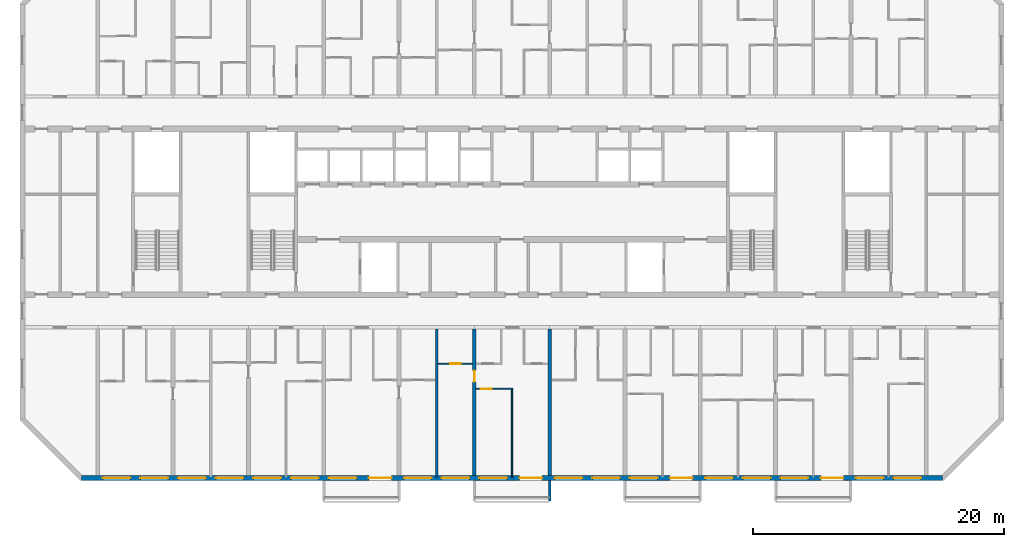
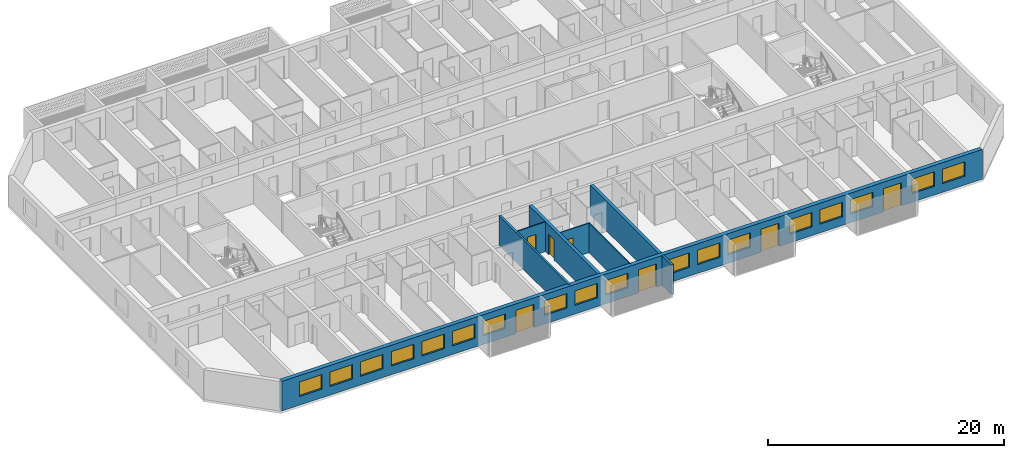
# One storey, part 4 of 32: 18 windows, 8 walls, 7 doors, 25 openings.
"""IFC4 building model written with IfcOpenShell, lengths in metres."""

from ifc_helpers import new_model, si_unit, direction, frame, frame_2d, origin, place, context, subcontext, project, spatial, polyline, rectangle, outline, extrude, source, transform, mapped, material, layer, layer_set, type_object, element, fill, save


model = new_model("IFC4")

# Units and contexts
model_context = context("Model", 3, precision=1e-05, world=origin(), true_north=direction((0.0, 1.0)))
body_context = subcontext(model_context, "Body", "Model", "MODEL_VIEW")
ifc_project = project(units=[si_unit("LENGTHUNIT", "METRE"), si_unit("AREAUNIT", "SQUARE_METRE"), si_unit("VOLUMEUNIT", "CUBIC_METRE"), si_unit("PLANEANGLEUNIT", "RADIAN"), si_unit("MASSUNIT", "GRAM", prefix="KILO")], contexts=[model_context])

# Site, building, storey
site_placement = place(None, origin())
site = spatial("IfcSite", under=ifc_project, at=site_placement, CompositionType="ELEMENT")
building_placement = place(site_placement, origin())
building = spatial("IfcBuilding", under=site, at=building_placement, Name="Poui Terraces", CompositionType="ELEMENT")
storey_placement = place(building_placement, frame((0.0, 0.0, 129.0)))
storey = spatial("IfcBuildingStorey", under=building, at=storey_placement, Name="L35", CompositionType="ELEMENT", Elevation=129.0)

# Wall, opening, door
ifc_material_1 = material(Name="Concrete 65 MPa", Category="concrete")
ifc_layer_1 = layer(ifc_material_1, 0.300048828125)
ifc_layer_set_1 = layer_set([ifc_layer_1], Name="Concrete 65 MPa")
wall_type_1 = type_object("IfcWallType", Name="CROSS WALL 300 65MPa", PredefinedType="SHEAR", material=ifc_layer_set_1)
wall_1_placement = place(storey_placement, frame((48.0, 0.199951171875, 0.0), z_axis=(0.0, 0.0, 1.0), x_axis=(0.0, 1.0, 0.0)))
wall_1 = element("IfcWall", 1, at=wall_1_placement, inside=storey, type_object=wall_type_1, Name="CROSS WALL LINE 9 SOUTH", PredefinedType="SHEAR", context=body_context, shape_type="SweptSolid", body=[
    extrude(rectangle(XDim=11.675048828125, YDim=0.300048828125, at=frame_2d((5.83740234375, 0.0))), origin(), (0.0, 0.0, 1.0), 3.070068359375),
])
opening_1_placement = place(wall_1_placement, frame((7.449951171875, 0.0, 0.0)))
opening_1 = element("IfcOpeningElement", 2, at=opening_1_placement, cuts=wall_1, Name="Opening D90", PredefinedType="OPENING", context=body_context, shape_type="SweptSolid", body=[
    extrude(rectangle(XDim=0.89990234375, YDim=2.10009765625, at=frame_2d((0.449951171875, 1.050048828125))), frame((0.0, 0.16015625, 0.0), z_axis=(0.0, -1.0, 0.0), x_axis=(1.0, 0.0, 0.0)), (0.0, 0.0, 1.0), 0.320068359375),
])
ifc_material_2 = material(Name="Solid core timber door", Category="wood")
door_type_1 = type_object("IfcDoorType", Name="INTERNAL DOOR 900 X 2100", OperationType="NOTDEFINED", PredefinedType="DOOR", material=ifc_material_2)
door_1_placement = place(opening_1_placement, origin())
door_1 = element("IfcDoor", 3, at=door_1_placement, inside=storey, type_object=door_type_1, Name="INTERNAL DOOR 096", OperationType="SINGLE_SWING_RIGHT", OverallHeight=2.10009765625, OverallWidth=0.89990234375, PredefinedType="DOOR", context=body_context, shape_type="SweptSolid", body=[
    extrude(rectangle(XDim=0.89990234375, YDim=2.10009765625, at=frame_2d((0.449951171875, 1.050048828125))), frame((0.0, 0.02490234375, 0.0), z_axis=(0.0, -1.0, 0.0), x_axis=(1.0, 0.0, 0.0)), (0.0, 0.0, 1.0), 0.050048828125),
])
fill(opening_1, door_1)

# Wall
wall_2_placement = place(storey_placement, frame((54.0, 0.199951171875, 0.0), z_axis=(0.0, 0.0, 1.0), x_axis=(0.0, 1.0, 0.0)))
element("IfcWall", 4, at=wall_2_placement, inside=storey, type_object=wall_type_1, Name="CROSS WALL LINE 10 SOUTH", PredefinedType="SHEAR", context=body_context, shape_type="SweptSolid", body=[
    extrude(rectangle(XDim=11.675048828125, YDim=0.300048828125, at=frame_2d((5.83740234375, 0.0))), origin(), (0.0, 0.0, 1.0), 3.070068359375),
])

# Wall, openings, doors, windows
ifc_material_3 = material(Name="Precast concrete 40 MPa", Category="concrete")
ifc_layer_2 = layer(ifc_material_3, 0.39990234375)
ifc_layer_set_2 = layer_set([ifc_layer_2], Name="Precast concrete 40 MPa")
wall_type_2 = type_object("IfcWallType", Name="EXTERNAL WALL 400", PredefinedType="STANDARD", material=ifc_layer_set_2)
wall_3_placement = place(storey_placement, frame((16.682861328125, 0.0, 0.0), z_axis=(0.0, 0.0, 1.0), x_axis=(1.0, 0.0, 0.0)))
wall_3 = element("IfcWall", 5, at=wall_3_placement, inside=storey, type_object=wall_type_2, Name="EXTERNAL WALL S", PredefinedType="STANDARD", context=body_context, shape_type="SweptSolid", body=[
    extrude(rectangle(XDim=68.63427734375, YDim=0.39990234375, at=frame_2d((34.317138671875, 0.0))), origin(), (0.0, 0.0, 1.0), 3.070068359375),
])
opening_2_placement = place(wall_3_placement, frame((1.71728515625, 0.0, 0.89990234375)))
opening_2 = element("IfcOpeningElement", 6, at=opening_2_placement, cuts=wall_3, Name="Opening W1", PredefinedType="OPENING", context=body_context, shape_type="SweptSolid", body=[
    extrude(rectangle(XDim=2.199951171875, YDim=1.5, at=frame_2d((1.10009765625, 0.75))), frame((0.0, 0.2099609375, 0.0), z_axis=(0.0, -1.0, 0.0), x_axis=(1.0, 0.0, 0.0)), (0.0, 0.0, 1.0), 0.419921875),
])
opening_3_placement = place(wall_3_placement, frame((4.71728515625, 0.0, 0.89990234375)))
opening_3 = element("IfcOpeningElement", 7, at=opening_3_placement, cuts=wall_3, Name="Opening W1", PredefinedType="OPENING", context=body_context, shape_type="SweptSolid", body=[
    extrude(rectangle(XDim=2.199951171875, YDim=1.5, at=frame_2d((1.10009765625, 0.75))), frame((0.0, 0.2099609375, 0.0), z_axis=(0.0, -1.0, 0.0), x_axis=(1.0, 0.0, 0.0)), (0.0, 0.0, 1.0), 0.419921875),
])
opening_4_placement = place(wall_3_placement, frame((7.71728515625, 0.0, 0.89990234375)))
opening_4 = element("IfcOpeningElement", 8, at=opening_4_placement, cuts=wall_3, Name="Opening W1", PredefinedType="OPENING", context=body_context, shape_type="SweptSolid", body=[
    extrude(rectangle(XDim=2.199951171875, YDim=1.5, at=frame_2d((1.10009765625, 0.75))), frame((0.0, 0.2099609375, 0.0), z_axis=(0.0, -1.0, 0.0), x_axis=(1.0, 0.0, 0.0)), (0.0, 0.0, 1.0), 0.419921875),
])
opening_5_placement = place(wall_3_placement, frame((10.71728515625, 0.0, 0.89990234375)))
opening_5 = element("IfcOpeningElement", 9, at=opening_5_placement, cuts=wall_3, Name="Opening W1", PredefinedType="OPENING", context=body_context, shape_type="SweptSolid", body=[
    extrude(rectangle(XDim=2.199951171875, YDim=1.5, at=frame_2d((1.10009765625, 0.75))), frame((0.0, 0.2099609375, 0.0), z_axis=(0.0, -1.0, 0.0), x_axis=(1.0, 0.0, 0.0)), (0.0, 0.0, 1.0), 0.419921875),
])
opening_6_placement = place(wall_3_placement, frame((13.71728515625, 0.0, 0.89990234375)))
opening_6 = element("IfcOpeningElement", 10, at=opening_6_placement, cuts=wall_3, Name="Opening W1", PredefinedType="OPENING", context=body_context, shape_type="SweptSolid", body=[
    extrude(rectangle(XDim=2.199951171875, YDim=1.5, at=frame_2d((1.10009765625, 0.75))), frame((0.0, 0.2099609375, 0.0), z_axis=(0.0, -1.0, 0.0), x_axis=(1.0, 0.0, 0.0)), (0.0, 0.0, 1.0), 0.419921875),
])
opening_7_placement = place(wall_3_placement, frame((16.71728515625, 0.0, 0.89990234375)))
opening_7 = element("IfcOpeningElement", 11, at=opening_7_placement, cuts=wall_3, Name="Opening W1", PredefinedType="OPENING", context=body_context, shape_type="SweptSolid", body=[
    extrude(rectangle(XDim=2.199951171875, YDim=1.5, at=frame_2d((1.10009765625, 0.75))), frame((0.0, 0.2099609375, 0.0), z_axis=(0.0, -1.0, 0.0), x_axis=(1.0, 0.0, 0.0)), (0.0, 0.0, 1.0), 0.419921875),
])
opening_8_placement = place(wall_3_placement, frame((19.71728515625, 0.0, 0.89990234375)))
opening_8 = element("IfcOpeningElement", 12, at=opening_8_placement, cuts=wall_3, Name="Opening W1", PredefinedType="OPENING", context=body_context, shape_type="SweptSolid", body=[
    extrude(rectangle(XDim=2.199951171875, YDim=1.5, at=frame_2d((1.10009765625, 0.75))), frame((0.0, 0.2099609375, 0.0), z_axis=(0.0, -1.0, 0.0), x_axis=(1.0, 0.0, 0.0)), (0.0, 0.0, 1.0), 0.419921875),
])
opening_9_placement = place(wall_3_placement, frame((22.917236328125, 0.0, 0.0)))
opening_9 = element("IfcOpeningElement", 13, at=opening_9_placement, cuts=wall_3, Name="Opening BD1", PredefinedType="OPENING", context=body_context, shape_type="SweptSolid", body=[
    extrude(rectangle(XDim=1.800048828125, YDim=2.39990234375, at=frame_2d((0.89990234375, 1.199951171875))), frame((0.0, 0.2099609375, 0.0), z_axis=(0.0, -1.0, 0.0), x_axis=(1.0, 0.0, 0.0)), (0.0, 0.0, 1.0), 0.419921875),
])
opening_10_placement = place(wall_3_placement, frame((25.71728515625, 0.0, 0.89990234375)))
opening_10 = element("IfcOpeningElement", 14, at=opening_10_placement, cuts=wall_3, Name="Opening W1", PredefinedType="OPENING", context=body_context, shape_type="SweptSolid", body=[
    extrude(rectangle(XDim=2.199951171875, YDim=1.5, at=frame_2d((1.10009765625, 0.75))), frame((0.0, 0.2099609375, 0.0), z_axis=(0.0, -1.0, 0.0), x_axis=(1.0, 0.0, 0.0)), (0.0, 0.0, 1.0), 0.419921875),
])
opening_11_placement = place(wall_3_placement, frame((28.71728515625, 0.0, 0.89990234375)))
opening_11 = element("IfcOpeningElement", 15, at=opening_11_placement, cuts=wall_3, Name="Opening W1", PredefinedType="OPENING", context=body_context, shape_type="SweptSolid", body=[
    extrude(rectangle(XDim=2.199951171875, YDim=1.5, at=frame_2d((1.10009765625, 0.75))), frame((0.0, 0.2099609375, 0.0), z_axis=(0.0, -1.0, 0.0), x_axis=(1.0, 0.0, 0.0)), (0.0, 0.0, 1.0), 0.419921875),
])
opening_12_placement = place(wall_3_placement, frame((31.71728515625, 0.0, 0.89990234375)))
opening_12 = element("IfcOpeningElement", 16, at=opening_12_placement, cuts=wall_3, Name="Opening W1", PredefinedType="OPENING", context=body_context, shape_type="SweptSolid", body=[
    extrude(rectangle(XDim=2.199951171875, YDim=1.5, at=frame_2d((1.10009765625, 0.75))), frame((0.0, 0.2099609375, 0.0), z_axis=(0.0, -1.0, 0.0), x_axis=(1.0, 0.0, 0.0)), (0.0, 0.0, 1.0), 0.419921875),
])
opening_13_placement = place(wall_3_placement, frame((34.917236328125, 0.0, 0.0)))
opening_13 = element("IfcOpeningElement", 17, at=opening_13_placement, cuts=wall_3, Name="Opening BD1", PredefinedType="OPENING", context=body_context, shape_type="SweptSolid", body=[
    extrude(rectangle(XDim=1.800048828125, YDim=2.39990234375, at=frame_2d((0.89990234375, 1.199951171875))), frame((0.0, 0.2099609375, 0.0), z_axis=(0.0, -1.0, 0.0), x_axis=(1.0, 0.0, 0.0)), (0.0, 0.0, 1.0), 0.419921875),
])
opening_14_placement = place(wall_3_placement, frame((37.71728515625, 0.0, 0.89990234375)))
opening_14 = element("IfcOpeningElement", 18, at=opening_14_placement, cuts=wall_3, Name="Opening W1", PredefinedType="OPENING", context=body_context, shape_type="SweptSolid", body=[
    extrude(rectangle(XDim=2.199951171875, YDim=1.5, at=frame_2d((1.10009765625, 0.75))), frame((0.0, 0.2099609375, 0.0), z_axis=(0.0, -1.0, 0.0), x_axis=(1.0, 0.0, 0.0)), (0.0, 0.0, 1.0), 0.419921875),
])
opening_15_placement = place(wall_3_placement, frame((40.71728515625, 0.0, 0.89990234375)))
opening_15 = element("IfcOpeningElement", 19, at=opening_15_placement, cuts=wall_3, Name="Opening W1", PredefinedType="OPENING", context=body_context, shape_type="SweptSolid", body=[
    extrude(rectangle(XDim=2.199951171875, YDim=1.5, at=frame_2d((1.10009765625, 0.75))), frame((0.0, 0.2099609375, 0.0), z_axis=(0.0, -1.0, 0.0), x_axis=(1.0, 0.0, 0.0)), (0.0, 0.0, 1.0), 0.419921875),
])
opening_16_placement = place(wall_3_placement, frame((43.71728515625, 0.0, 0.89990234375)))
opening_16 = element("IfcOpeningElement", 20, at=opening_16_placement, cuts=wall_3, Name="Opening W1", PredefinedType="OPENING", context=body_context, shape_type="SweptSolid", body=[
    extrude(rectangle(XDim=2.199951171875, YDim=1.5, at=frame_2d((1.10009765625, 0.75))), frame((0.0, 0.2099609375, 0.0), z_axis=(0.0, -1.0, 0.0), x_axis=(1.0, 0.0, 0.0)), (0.0, 0.0, 1.0), 0.419921875),
])
opening_17_placement = place(wall_3_placement, frame((46.917236328125, 0.0, 0.0)))
opening_17 = element("IfcOpeningElement", 21, at=opening_17_placement, cuts=wall_3, Name="Opening BD1", PredefinedType="OPENING", context=body_context, shape_type="SweptSolid", body=[
    extrude(rectangle(XDim=1.800048828125, YDim=2.39990234375, at=frame_2d((0.89990234375, 1.199951171875))), frame((0.0, 0.2099609375, 0.0), z_axis=(0.0, -1.0, 0.0), x_axis=(1.0, 0.0, 0.0)), (0.0, 0.0, 1.0), 0.419921875),
])
opening_18_placement = place(wall_3_placement, frame((49.71728515625, 0.0, 0.89990234375)))
opening_18 = element("IfcOpeningElement", 22, at=opening_18_placement, cuts=wall_3, Name="Opening W1", PredefinedType="OPENING", context=body_context, shape_type="SweptSolid", body=[
    extrude(rectangle(XDim=2.199951171875, YDim=1.5, at=frame_2d((1.10009765625, 0.75))), frame((0.0, 0.2099609375, 0.0), z_axis=(0.0, -1.0, 0.0), x_axis=(1.0, 0.0, 0.0)), (0.0, 0.0, 1.0), 0.419921875),
])
opening_19_placement = place(wall_3_placement, frame((52.71728515625, 0.0, 0.89990234375)))
opening_19 = element("IfcOpeningElement", 23, at=opening_19_placement, cuts=wall_3, Name="Opening W1", PredefinedType="OPENING", context=body_context, shape_type="SweptSolid", body=[
    extrude(rectangle(XDim=2.199951171875, YDim=1.5, at=frame_2d((1.10009765625, 0.75))), frame((0.0, 0.2099609375, 0.0), z_axis=(0.0, -1.0, 0.0), x_axis=(1.0, 0.0, 0.0)), (0.0, 0.0, 1.0), 0.419921875),
])
opening_20_placement = place(wall_3_placement, frame((55.71728515625, 0.0, 0.89990234375)))
opening_20 = element("IfcOpeningElement", 24, at=opening_20_placement, cuts=wall_3, Name="Opening W1", PredefinedType="OPENING", context=body_context, shape_type="SweptSolid", body=[
    extrude(rectangle(XDim=2.199951171875, YDim=1.5, at=frame_2d((1.10009765625, 0.75))), frame((0.0, 0.2099609375, 0.0), z_axis=(0.0, -1.0, 0.0), x_axis=(1.0, 0.0, 0.0)), (0.0, 0.0, 1.0), 0.419921875),
])
opening_21_placement = place(wall_3_placement, frame((58.917236328125, 0.0, 0.0)))
opening_21 = element("IfcOpeningElement", 25, at=opening_21_placement, cuts=wall_3, Name="Opening BD1", PredefinedType="OPENING", context=body_context, shape_type="SweptSolid", body=[
    extrude(rectangle(XDim=1.800048828125, YDim=2.39990234375, at=frame_2d((0.89990234375, 1.199951171875))), frame((0.0, 0.2099609375, 0.0), z_axis=(0.0, -1.0, 0.0), x_axis=(1.0, 0.0, 0.0)), (0.0, 0.0, 1.0), 0.419921875),
])
opening_22_placement = place(wall_3_placement, frame((61.71728515625, 0.0, 0.89990234375)))
opening_22 = element("IfcOpeningElement", 26, at=opening_22_placement, cuts=wall_3, Name="Opening W1", PredefinedType="OPENING", context=body_context, shape_type="SweptSolid", body=[
    extrude(rectangle(XDim=2.199951171875, YDim=1.5, at=frame_2d((1.10009765625, 0.75))), frame((0.0, 0.2099609375, 0.0), z_axis=(0.0, -1.0, 0.0), x_axis=(1.0, 0.0, 0.0)), (0.0, 0.0, 1.0), 0.419921875),
])
opening_23_placement = place(wall_3_placement, frame((64.71728515625, 0.0, 0.89990234375)))
opening_23 = element("IfcOpeningElement", 27, at=opening_23_placement, cuts=wall_3, Name="Opening W1", PredefinedType="OPENING", context=body_context, shape_type="SweptSolid", body=[
    extrude(rectangle(XDim=2.199951171875, YDim=1.5, at=frame_2d((1.10009765625, 0.75))), frame((0.0, 0.2099609375, 0.0), z_axis=(0.0, -1.0, 0.0), x_axis=(1.0, 0.0, 0.0)), (0.0, 0.0, 1.0), 0.419921875),
])
ifc_material_4 = material(Name="Clear glass in aluminium frame", Category="aluminium")
door_type_2 = type_object("IfcDoorType", Name="BALCONY DOOR 1800X2400", OperationType="DOUBLE_DOOR_SLIDING", PredefinedType="DOOR", material=ifc_material_4)
door_2_placement = place(opening_9_placement, origin())
door_2 = element("IfcDoor", 28, at=door_2_placement, inside=storey, type_object=door_type_2, Name="BD1 BALCONY DOOR", OperationType="DOUBLE_DOOR_SLIDING", OverallHeight=2.39990234375, OverallWidth=1.800048828125, PredefinedType="DOOR", context=body_context, shape_type="SweptSolid", body=[
    extrude(rectangle(XDim=1.800048828125, YDim=2.39990234375, at=frame_2d((0.89990234375, 1.199951171875))), frame((0.0, 0.02490234375, 0.0), z_axis=(0.0, -1.0, 0.0), x_axis=(1.0, 0.0, 0.0)), (0.0, 0.0, 1.0), 0.050048828125),
])
fill(opening_9, door_2)
door_3_placement = place(opening_13_placement, origin())
door_3 = element("IfcDoor", 29, at=door_3_placement, inside=storey, type_object=door_type_2, Name="BD1 BALCONY DOOR", OperationType="DOUBLE_DOOR_SLIDING", OverallHeight=2.39990234375, OverallWidth=1.800048828125, PredefinedType="DOOR", context=body_context, shape_type="SweptSolid", body=[
    extrude(rectangle(XDim=1.800048828125, YDim=2.39990234375, at=frame_2d((0.89990234375, 1.199951171875))), frame((0.0, 0.02490234375, 0.0), z_axis=(0.0, -1.0, 0.0), x_axis=(1.0, 0.0, 0.0)), (0.0, 0.0, 1.0), 0.050048828125),
])
fill(opening_13, door_3)
door_4_placement = place(opening_17_placement, origin())
door_4 = element("IfcDoor", 30, at=door_4_placement, inside=storey, type_object=door_type_2, Name="BD1 BALCONY DOOR", OperationType="DOUBLE_DOOR_SLIDING", OverallHeight=2.39990234375, OverallWidth=1.800048828125, PredefinedType="DOOR", context=body_context, shape_type="SweptSolid", body=[
    extrude(rectangle(XDim=1.800048828125, YDim=2.39990234375, at=frame_2d((0.89990234375, 1.199951171875))), frame((0.0, 0.02490234375, 0.0), z_axis=(0.0, -1.0, 0.0), x_axis=(1.0, 0.0, 0.0)), (0.0, 0.0, 1.0), 0.050048828125),
])
fill(opening_17, door_4)
door_5_placement = place(opening_21_placement, origin())
door_5 = element("IfcDoor", 31, at=door_5_placement, inside=storey, type_object=door_type_2, Name="BD1 BALCONY DOOR", OperationType="DOUBLE_DOOR_SLIDING", OverallHeight=2.39990234375, OverallWidth=1.800048828125, PredefinedType="DOOR", context=body_context, shape_type="SweptSolid", body=[
    extrude(rectangle(XDim=1.800048828125, YDim=2.39990234375, at=frame_2d((0.89990234375, 1.199951171875))), frame((0.0, 0.02490234375, 0.0), z_axis=(0.0, -1.0, 0.0), x_axis=(1.0, 0.0, 0.0)), (0.0, 0.0, 1.0), 0.050048828125),
])
fill(opening_21, door_5)
window_type = type_object("IfcWindowType", Name="WINDOW 2200X1500", PartitioningType="DOUBLE_PANEL_HORIZONTAL", PredefinedType="WINDOW", material=ifc_material_4)
window_1_placement = place(opening_2_placement, origin())
window_1 = element("IfcWindow", 32, at=window_1_placement, inside=storey, type_object=window_type, Name="W1 WINDOW", OverallHeight=1.5, OverallWidth=2.199951171875, PartitioningType="DOUBLE_PANEL_HORIZONTAL", PredefinedType="WINDOW", context=body_context, shape_type="SweptSolid", body=[
    extrude(rectangle(XDim=2.199951171875, YDim=1.5, at=frame_2d((1.10009765625, 0.75))), frame((0.0, 0.030029296875, 0.0), z_axis=(0.0, -1.0, 0.0), x_axis=(1.0, 0.0, 0.0)), (0.0, 0.0, 1.0), 0.06005859375),
])
fill(opening_2, window_1)
window_2_placement = place(opening_3_placement, origin())
window_2 = element("IfcWindow", 33, at=window_2_placement, inside=storey, type_object=window_type, Name="W1 WINDOW", OverallHeight=1.5, OverallWidth=2.199951171875, PartitioningType="DOUBLE_PANEL_HORIZONTAL", PredefinedType="WINDOW", context=body_context, shape_type="SweptSolid", body=[
    extrude(rectangle(XDim=2.199951171875, YDim=1.5, at=frame_2d((1.10009765625, 0.75))), frame((0.0, 0.030029296875, 0.0), z_axis=(0.0, -1.0, 0.0), x_axis=(1.0, 0.0, 0.0)), (0.0, 0.0, 1.0), 0.06005859375),
])
fill(opening_3, window_2)
window_3_placement = place(opening_4_placement, origin())
window_3 = element("IfcWindow", 34, at=window_3_placement, inside=storey, type_object=window_type, Name="W1 WINDOW", OverallHeight=1.5, OverallWidth=2.199951171875, PartitioningType="DOUBLE_PANEL_HORIZONTAL", PredefinedType="WINDOW", context=body_context, shape_type="SweptSolid", body=[
    extrude(rectangle(XDim=2.199951171875, YDim=1.5, at=frame_2d((1.10009765625, 0.75))), frame((0.0, 0.030029296875, 0.0), z_axis=(0.0, -1.0, 0.0), x_axis=(1.0, 0.0, 0.0)), (0.0, 0.0, 1.0), 0.06005859375),
])
fill(opening_4, window_3)
window_4_placement = place(opening_5_placement, origin())
window_4 = element("IfcWindow", 35, at=window_4_placement, inside=storey, type_object=window_type, Name="W1 WINDOW", OverallHeight=1.5, OverallWidth=2.199951171875, PartitioningType="DOUBLE_PANEL_HORIZONTAL", PredefinedType="WINDOW", context=body_context, shape_type="SweptSolid", body=[
    extrude(rectangle(XDim=2.199951171875, YDim=1.5, at=frame_2d((1.10009765625, 0.75))), frame((0.0, 0.030029296875, 0.0), z_axis=(0.0, -1.0, 0.0), x_axis=(1.0, 0.0, 0.0)), (0.0, 0.0, 1.0), 0.06005859375),
])
fill(opening_5, window_4)
window_5_placement = place(opening_6_placement, origin())
window_5 = element("IfcWindow", 36, at=window_5_placement, inside=storey, type_object=window_type, Name="W1 WINDOW", OverallHeight=1.5, OverallWidth=2.199951171875, PartitioningType="DOUBLE_PANEL_HORIZONTAL", PredefinedType="WINDOW", context=body_context, shape_type="SweptSolid", body=[
    extrude(rectangle(XDim=2.199951171875, YDim=1.5, at=frame_2d((1.10009765625, 0.75))), frame((0.0, 0.030029296875, 0.0), z_axis=(0.0, -1.0, 0.0), x_axis=(1.0, 0.0, 0.0)), (0.0, 0.0, 1.0), 0.06005859375),
])
fill(opening_6, window_5)
window_6_placement = place(opening_7_placement, origin())
window_6 = element("IfcWindow", 37, at=window_6_placement, inside=storey, type_object=window_type, Name="W1 WINDOW", OverallHeight=1.5, OverallWidth=2.199951171875, PartitioningType="DOUBLE_PANEL_HORIZONTAL", PredefinedType="WINDOW", context=body_context, shape_type="SweptSolid", body=[
    extrude(rectangle(XDim=2.199951171875, YDim=1.5, at=frame_2d((1.10009765625, 0.75))), frame((0.0, 0.030029296875, 0.0), z_axis=(0.0, -1.0, 0.0), x_axis=(1.0, 0.0, 0.0)), (0.0, 0.0, 1.0), 0.06005859375),
])
fill(opening_7, window_6)
window_7_placement = place(opening_8_placement, origin())
window_7 = element("IfcWindow", 38, at=window_7_placement, inside=storey, type_object=window_type, Name="W1 WINDOW", OverallHeight=1.5, OverallWidth=2.199951171875, PartitioningType="DOUBLE_PANEL_HORIZONTAL", PredefinedType="WINDOW", context=body_context, shape_type="SweptSolid", body=[
    extrude(rectangle(XDim=2.199951171875, YDim=1.5, at=frame_2d((1.10009765625, 0.75))), frame((0.0, 0.030029296875, 0.0), z_axis=(0.0, -1.0, 0.0), x_axis=(1.0, 0.0, 0.0)), (0.0, 0.0, 1.0), 0.06005859375),
])
fill(opening_8, window_7)
window_8_placement = place(opening_10_placement, origin())
window_8 = element("IfcWindow", 39, at=window_8_placement, inside=storey, type_object=window_type, Name="W1 WINDOW", OverallHeight=1.5, OverallWidth=2.199951171875, PartitioningType="DOUBLE_PANEL_HORIZONTAL", PredefinedType="WINDOW", context=body_context, shape_type="SweptSolid", body=[
    extrude(rectangle(XDim=2.199951171875, YDim=1.5, at=frame_2d((1.10009765625, 0.75))), frame((0.0, 0.030029296875, 0.0), z_axis=(0.0, -1.0, 0.0), x_axis=(1.0, 0.0, 0.0)), (0.0, 0.0, 1.0), 0.06005859375),
])
fill(opening_10, window_8)
window_9_placement = place(opening_11_placement, origin())
window_9 = element("IfcWindow", 40, at=window_9_placement, inside=storey, type_object=window_type, Name="W1 WINDOW", OverallHeight=1.5, OverallWidth=2.199951171875, PartitioningType="DOUBLE_PANEL_HORIZONTAL", PredefinedType="WINDOW", context=body_context, shape_type="SweptSolid", body=[
    extrude(rectangle(XDim=2.199951171875, YDim=1.5, at=frame_2d((1.10009765625, 0.75))), frame((0.0, 0.030029296875, 0.0), z_axis=(0.0, -1.0, 0.0), x_axis=(1.0, 0.0, 0.0)), (0.0, 0.0, 1.0), 0.06005859375),
])
fill(opening_11, window_9)
window_10_placement = place(opening_12_placement, origin())
window_10 = element("IfcWindow", 41, at=window_10_placement, inside=storey, type_object=window_type, Name="W1 WINDOW", OverallHeight=1.5, OverallWidth=2.199951171875, PartitioningType="DOUBLE_PANEL_HORIZONTAL", PredefinedType="WINDOW", context=body_context, shape_type="SweptSolid", body=[
    extrude(rectangle(XDim=2.199951171875, YDim=1.5, at=frame_2d((1.10009765625, 0.75))), frame((0.0, 0.030029296875, 0.0), z_axis=(0.0, -1.0, 0.0), x_axis=(1.0, 0.0, 0.0)), (0.0, 0.0, 1.0), 0.06005859375),
])
fill(opening_12, window_10)
window_11_placement = place(opening_14_placement, origin())
window_11 = element("IfcWindow", 42, at=window_11_placement, inside=storey, type_object=window_type, Name="W1 WINDOW", OverallHeight=1.5, OverallWidth=2.199951171875, PartitioningType="DOUBLE_PANEL_HORIZONTAL", PredefinedType="WINDOW", context=body_context, shape_type="SweptSolid", body=[
    extrude(rectangle(XDim=2.199951171875, YDim=1.5, at=frame_2d((1.10009765625, 0.75))), frame((0.0, 0.030029296875, 0.0), z_axis=(0.0, -1.0, 0.0), x_axis=(1.0, 0.0, 0.0)), (0.0, 0.0, 1.0), 0.06005859375),
])
fill(opening_14, window_11)
window_12_placement = place(opening_15_placement, origin())
window_12 = element("IfcWindow", 43, at=window_12_placement, inside=storey, type_object=window_type, Name="W1 WINDOW", OverallHeight=1.5, OverallWidth=2.199951171875, PartitioningType="DOUBLE_PANEL_HORIZONTAL", PredefinedType="WINDOW", context=body_context, shape_type="SweptSolid", body=[
    extrude(rectangle(XDim=2.199951171875, YDim=1.5, at=frame_2d((1.10009765625, 0.75))), frame((0.0, 0.030029296875, 0.0), z_axis=(0.0, -1.0, 0.0), x_axis=(1.0, 0.0, 0.0)), (0.0, 0.0, 1.0), 0.06005859375),
])
fill(opening_15, window_12)
window_13_placement = place(opening_16_placement, origin())
window_13 = element("IfcWindow", 44, at=window_13_placement, inside=storey, type_object=window_type, Name="W1 WINDOW", OverallHeight=1.5, OverallWidth=2.199951171875, PartitioningType="DOUBLE_PANEL_HORIZONTAL", PredefinedType="WINDOW", context=body_context, shape_type="SweptSolid", body=[
    extrude(rectangle(XDim=2.199951171875, YDim=1.5, at=frame_2d((1.10009765625, 0.75))), frame((0.0, 0.030029296875, 0.0), z_axis=(0.0, -1.0, 0.0), x_axis=(1.0, 0.0, 0.0)), (0.0, 0.0, 1.0), 0.06005859375),
])
fill(opening_16, window_13)
window_14_placement = place(opening_18_placement, origin())
window_14 = element("IfcWindow", 45, at=window_14_placement, inside=storey, type_object=window_type, Name="W1 WINDOW", OverallHeight=1.5, OverallWidth=2.199951171875, PartitioningType="DOUBLE_PANEL_HORIZONTAL", PredefinedType="WINDOW", context=body_context, shape_type="SweptSolid", body=[
    extrude(rectangle(XDim=2.199951171875, YDim=1.5, at=frame_2d((1.10009765625, 0.75))), frame((0.0, 0.030029296875, 0.0), z_axis=(0.0, -1.0, 0.0), x_axis=(1.0, 0.0, 0.0)), (0.0, 0.0, 1.0), 0.06005859375),
])
fill(opening_18, window_14)
window_15_placement = place(opening_19_placement, origin())
window_15 = element("IfcWindow", 46, at=window_15_placement, inside=storey, type_object=window_type, Name="W1 WINDOW", OverallHeight=1.5, OverallWidth=2.199951171875, PartitioningType="DOUBLE_PANEL_HORIZONTAL", PredefinedType="WINDOW", context=body_context, shape_type="SweptSolid", body=[
    extrude(rectangle(XDim=2.199951171875, YDim=1.5, at=frame_2d((1.10009765625, 0.75))), frame((0.0, 0.030029296875, 0.0), z_axis=(0.0, -1.0, 0.0), x_axis=(1.0, 0.0, 0.0)), (0.0, 0.0, 1.0), 0.06005859375),
])
fill(opening_19, window_15)
window_16_placement = place(opening_20_placement, origin())
window_16 = element("IfcWindow", 47, at=window_16_placement, inside=storey, type_object=window_type, Name="W1 WINDOW", OverallHeight=1.5, OverallWidth=2.199951171875, PartitioningType="DOUBLE_PANEL_HORIZONTAL", PredefinedType="WINDOW", context=body_context, shape_type="SweptSolid", body=[
    extrude(rectangle(XDim=2.199951171875, YDim=1.5, at=frame_2d((1.10009765625, 0.75))), frame((0.0, 0.030029296875, 0.0), z_axis=(0.0, -1.0, 0.0), x_axis=(1.0, 0.0, 0.0)), (0.0, 0.0, 1.0), 0.06005859375),
])
fill(opening_20, window_16)
window_17_placement = place(opening_22_placement, origin())
window_17 = element("IfcWindow", 48, at=window_17_placement, inside=storey, type_object=window_type, Name="W1 WINDOW", OverallHeight=1.5, OverallWidth=2.199951171875, PartitioningType="DOUBLE_PANEL_HORIZONTAL", PredefinedType="WINDOW", context=body_context, shape_type="SweptSolid", body=[
    extrude(rectangle(XDim=2.199951171875, YDim=1.5, at=frame_2d((1.10009765625, 0.75))), frame((0.0, 0.030029296875, 0.0), z_axis=(0.0, -1.0, 0.0), x_axis=(1.0, 0.0, 0.0)), (0.0, 0.0, 1.0), 0.06005859375),
])
fill(opening_22, window_17)
window_18_placement = place(opening_23_placement, origin())
window_18 = element("IfcWindow", 49, at=window_18_placement, inside=storey, type_object=window_type, Name="W1 WINDOW", OverallHeight=1.5, OverallWidth=2.199951171875, PartitioningType="DOUBLE_PANEL_HORIZONTAL", PredefinedType="WINDOW", context=body_context, shape_type="SweptSolid", body=[
    extrude(rectangle(XDim=2.199951171875, YDim=1.5, at=frame_2d((1.10009765625, 0.75))), frame((0.0, 0.030029296875, 0.0), z_axis=(0.0, -1.0, 0.0), x_axis=(1.0, 0.0, 0.0)), (0.0, 0.0, 1.0), 0.06005859375),
])
fill(opening_23, window_18)

# Wall, opening, door
ifc_material_5 = material(Name="Plasterboard partition")
ifc_layer_3 = layer(ifc_material_5, 0.10009765625)
ifc_layer_set_3 = layer_set([ifc_layer_3], Name="Plasterboard partition")
wall_type_3 = type_object("IfcWallType", Name="FLAT PARTITION 100", PredefinedType="PARTITIONING", material=ifc_layer_set_3)
wall_4_placement = place(storey_placement, frame((48.159912109375, 7.10009765625, 0.0), z_axis=(0.0, 0.0, 1.0), x_axis=(1.0, 0.0, 0.0)))
wall_4 = element("IfcWall", 50, at=wall_4_placement, inside=storey, type_object=wall_type_3, Name="FLAT PARTITION 100", PredefinedType="PARTITIONING", context=body_context, shape_type="SweptSolid", body=[
    extrude(rectangle(XDim=2.89013671875, YDim=0.10009765625, at=frame_2d((1.445068359375, 0.0))), origin(), (0.0, 0.0, 1.0), 3.070068359375),
])
opening_24_placement = place(wall_4_placement, frame((0.340087890625, 0.0, 0.0)))
opening_24 = element("IfcOpeningElement", 51, at=opening_24_placement, cuts=wall_4, Name="Opening D90", PredefinedType="OPENING", context=body_context, shape_type="SweptSolid", body=[
    extrude(rectangle(XDim=0.89990234375, YDim=2.10009765625, at=frame_2d((0.449951171875, 1.050048828125))), frame((0.0, 0.06005859375, 0.0), z_axis=(0.0, -1.0, 0.0), x_axis=(1.0, 0.0, 0.0)), (0.0, 0.0, 1.0), 0.1201171875),
])
door_6_placement = place(opening_24_placement, origin())
door_6 = element("IfcDoor", 52, at=door_6_placement, inside=storey, type_object=door_type_1, Name="INTERNAL DOOR 097", OperationType="SINGLE_SWING_RIGHT", OverallHeight=2.10009765625, OverallWidth=0.89990234375, PredefinedType="DOOR", context=body_context, shape_type="SweptSolid", body=[
    extrude(rectangle(XDim=0.89990234375, YDim=2.10009765625, at=frame_2d((0.449951171875, 1.050048828125))), frame((0.0, 0.02490234375, 0.0), z_axis=(0.0, -1.0, 0.0), x_axis=(1.0, 0.0, 0.0)), (0.0, 0.0, 1.0), 0.050048828125),
])
fill(opening_24, door_6)

wall_5_placement = place(storey_placement, frame((45.10009765625, 9.10009765625, 0.0), z_axis=(0.0, 0.0, 1.0), x_axis=(1.0, 0.0, 0.0)))
wall_5 = element("IfcWall", 53, at=wall_5_placement, inside=storey, type_object=wall_type_3, Name="FLAT PARTITION 100", PredefinedType="PARTITIONING", context=body_context, shape_type="SweptSolid", body=[
    extrude(rectangle(XDim=2.739990234375, YDim=0.10009765625, at=frame_2d((1.3701171875, 0.0))), origin(), (0.0, 0.0, 1.0), 3.070068359375),
])
opening_25_placement = place(wall_5_placement, frame((1.0, 0.0, 0.0)))
opening_25 = element("IfcOpeningElement", 54, at=opening_25_placement, cuts=wall_5, Name="Opening D80", PredefinedType="OPENING", context=body_context, shape_type="SweptSolid", body=[
    extrude(rectangle(XDim=0.800048828125, YDim=2.10009765625, at=frame_2d((0.39990234375, 1.050048828125))), frame((0.0, 0.06005859375, 0.0), z_axis=(0.0, -1.0, 0.0), x_axis=(1.0, 0.0, 0.0)), (0.0, 0.0, 1.0), 0.1201171875),
])
door_type_3 = type_object("IfcDoorType", Name="BATHROOM, LAUNDRY AND STORE DOOR 800 X 2100", OperationType="NOTDEFINED", PredefinedType="DOOR", material=ifc_material_2)
door_7_placement = place(opening_25_placement, origin())
door_7 = element("IfcDoor", 55, at=door_7_placement, inside=storey, type_object=door_type_3, Name="BATHROOM, LAUNDRY AND STORE DOOR 095", OperationType="SINGLE_SWING_LEFT", OverallHeight=2.10009765625, OverallWidth=0.800048828125, PredefinedType="DOOR", context=body_context, shape_type="SweptSolid", body=[
    extrude(rectangle(XDim=0.800048828125, YDim=2.10009765625, at=frame_2d((0.39990234375, 1.050048828125))), frame((0.0, 0.02490234375, 0.0), z_axis=(0.0, -1.0, 0.0), x_axis=(1.0, 0.0, 0.0)), (0.0, 0.0, 1.0), 0.050048828125),
])
fill(opening_25, door_7)

# Walls
wall_6_placement = place(storey_placement, frame((51.0, 0.06005859375, 0.0), z_axis=(0.0, 0.0, 1.0), x_axis=(0.0, 1.0, 0.0)))
element("IfcWall", 56, at=wall_6_placement, inside=storey, type_object=wall_type_3, Name="FLAT PARTITION 100", PredefinedType="PARTITIONING", context=body_context, shape_type="SweptSolid", body=[
    extrude(rectangle(XDim=6.989990234375, YDim=0.10009765625, at=frame_2d((3.4951171875, 0.0))), origin(), (0.0, 0.0, 1.0), 3.070068359375),
])
ifc_material_6 = material(Name="Fire-rated masonry wall", Category="masonry")
ifc_layer_4 = layer(ifc_material_6, 0.199951171875)
ifc_layer_set_4 = layer_set([ifc_layer_4], Name="Fire-rated masonry wall")
wall_type_4 = type_object("IfcWallType", Name="FLAT PARTY WALL 200", PredefinedType="PARTITIONING", material=ifc_layer_set_4)
wall_7_placement = place(storey_placement, frame((45.0, 0.06005859375, 0.0), z_axis=(0.0, 0.0, 1.0), x_axis=(0.0, 1.0, 0.0)))
element("IfcWall", 57, at=wall_7_placement, inside=storey, type_object=wall_type_4, Name="FLAT PARTY WALL 200", PredefinedType="PARTITIONING", context=body_context, shape_type="SweptSolid", body=[
    extrude(rectangle(XDim=11.804931640625, YDim=0.199951171875, at=frame_2d((5.90234375, 0.0))), origin(), (0.0, 0.0, 1.0), 3.070068359375),
])
ifc_layer_5 = layer(ifc_material_3, 0.199951171875)
ifc_layer_set_5 = layer_set([ifc_layer_5], Name="Precast concrete 40 MPa")
wall_type_5 = type_object("IfcWallType", Name="REAR FIN 200", PredefinedType="STANDARD", material=ifc_layer_set_5)
shared_shape = source(origin(), body_context, "Body", "SweptSolid", [
    extrude(outline(polyline([(0.0, 0.0), (0.2001953125, 0.0), (0.2001953125, 1.650146484375), (0.0, 1.650146484375), (0.0, 0.0)])), origin(), (0.0, 0.0, 1.0), 3.10009765625),
])
wall_8_placement = place(storey_placement, frame((53.89990234375, -1.85009765625, 0.0)))
element("IfcWall", 58, at=wall_8_placement, inside=storey, type_object=wall_type_5, Name="REAR FIN", PredefinedType="STANDARD", context=body_context, shape_type="MappedRepresentation", body=[
    mapped(shared_shape, transform((0.0, 0.0, 0.0))),
])

save(model, "model.ifc")
